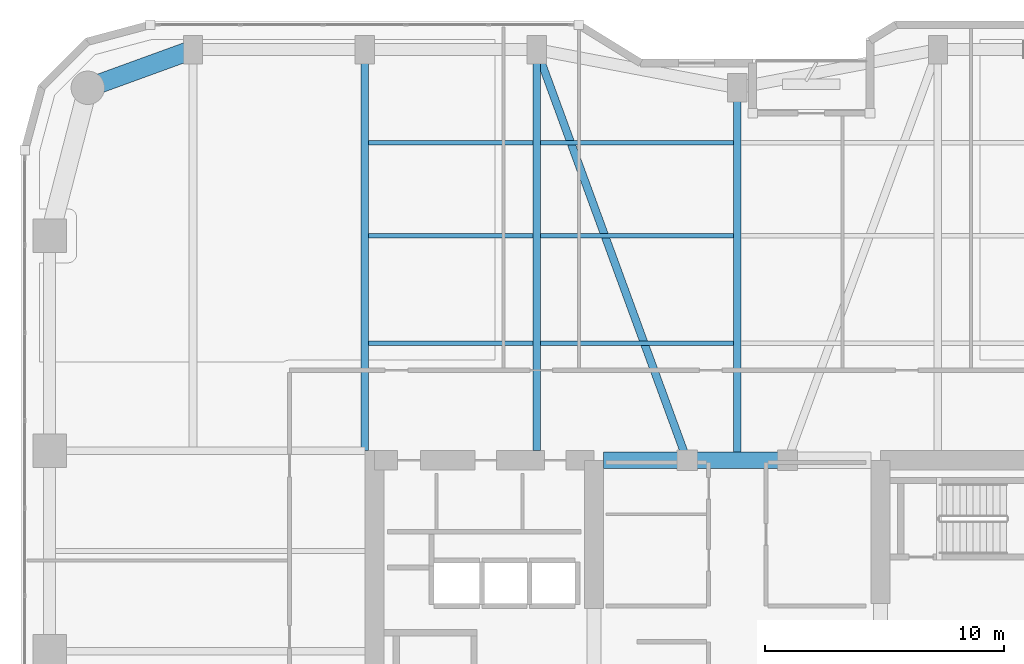
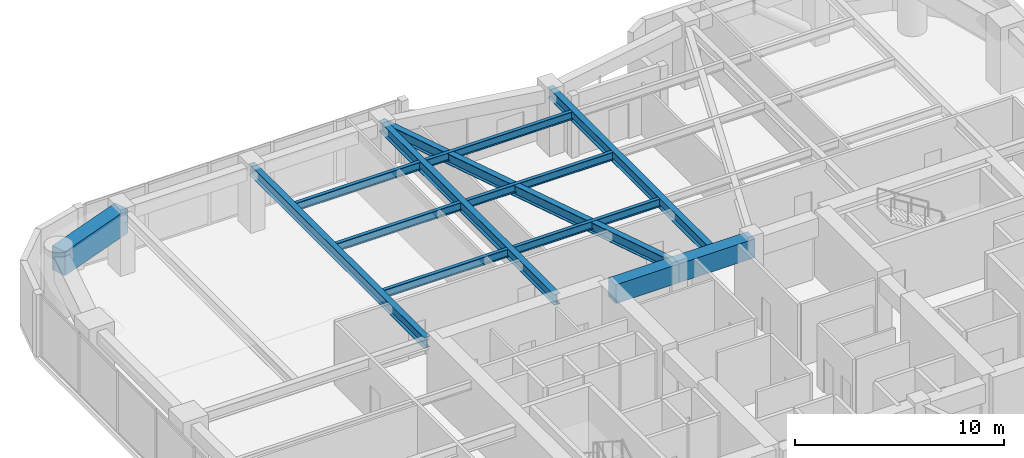
# One storey, part 12 of 24: 13 beams.
"""IFC4 building model written with IfcOpenShell, lengths in metres."""

import ifcopenshell
import ifcopenshell.guid

model = None  # the IFC model being written
_history = None  # IfcOwnerHistory: only IFC2X3 demands one
_inside = {}  # id of a spatial element -> (the spatial element, [elements in it])
_under = {}  # id of a project, library or spatial element -> (it, [spatial elements below it])
_declared = {}  # id of a project -> (the project, [libraries it declares])
_typed = {}  # id of a type object -> (the type object, [elements of that type])
_made_of = {}  # id of a material, layer set ... -> (it, [elements and type objects made of it])


def new_model(schema):
    """Start an empty IFC model of exactly this schema.

    Asked for "IFC4X3", IfcOpenShell would pick the latest addendum, in which some entities
    have other attributes; the version numbers below select the first issue.
    IFC2X3 requires an IfcOwnerHistory on every rooted entity: one is made here for all.
    """
    global model, _history
    if schema == "IFC4X3":
        model = ifcopenshell.file(schema_version=(4, 3, 0, 0))
    else:
        model = ifcopenshell.file(schema=schema)
    _inside.clear()
    _under.clear()
    _declared.clear()
    _typed.clear()
    _made_of.clear()
    _history = None
    if model.schema == "IFC2X3":
        org = make("IfcOrganization", Name="unknown")
        user = make(
            "IfcPersonAndOrganization",
            ThePerson=make("IfcPerson", FamilyName="unknown"),
            TheOrganization=org,
        )
        app = make(
            "IfcApplication",
            ApplicationDeveloper=org,
            Version="unknown",
            ApplicationFullName="unknown",
            ApplicationIdentifier="unknown",
        )
        _history = make(
            "IfcOwnerHistory",
            OwningUser=user,
            OwningApplication=app,
            ChangeAction="ADDED",
            CreationDate=0,
        )
    return model


def make(cls, **values):
    """One entity of the class cls with the attributes given. An attribute that is None is left unset."""
    return model.create_entity(
        cls, **{name: value for name, value in values.items() if value is not None}
    )


def rooted(cls, **values):
    """An entity with a GlobalId (a new one), such as an element, a storey or a relation."""
    return make(cls, GlobalId=ifcopenshell.guid.new(), OwnerHistory=_history, **values)


def si_unit(unit_type, name, prefix=None):
    """IfcSIUnit, for example si_unit("LENGTHUNIT", "METRE", prefix="MILLI")."""
    return make("IfcSIUnit", UnitType=unit_type, Prefix=prefix, Name=name)


def assignment(units):
    """IfcUnitAssignment: the units of a project."""
    return None if units is None else make("IfcUnitAssignment", Units=units)


def point(xyz):
    """IfcCartesianPoint."""
    return None if xyz is None else make("IfcCartesianPoint", Coordinates=xyz)


def direction(xyz):
    """IfcDirection."""
    return None if xyz is None else make("IfcDirection", DirectionRatios=xyz)


def frame(location, z_axis=None, x_axis=None):
    """IfcAxis2Placement3D, a coordinate frame: its origin and axes. An axis left out is left unset."""
    return make(
        "IfcAxis2Placement3D",
        Location=point(location),
        Axis=direction(z_axis),
        RefDirection=direction(x_axis),
    )


def frame_2d(location, x_axis=None):
    """IfcAxis2Placement2D, a coordinate frame in the plane: its origin and x axis."""
    return make(
        "IfcAxis2Placement2D", Location=point(location), RefDirection=direction(x_axis)
    )


def origin():
    """The frame at (0, 0, 0) with its axes left unset."""
    return frame((0.0, 0.0, 0.0))


def origin_2d():
    """The frame at (0, 0) in the plane with its x axis left unset."""
    return frame_2d((0.0, 0.0))


def place(relative_to, where):
    """IfcLocalPlacement: puts the frame where relative to a parent placement (None: the world)."""
    return make(
        "IfcLocalPlacement", PlacementRelTo=relative_to, RelativePlacement=where
    )


def context(
    kind, dimensions, precision=None, world=None, true_north=None, identifier=None
):
    """IfcGeometricRepresentationContext, for example the 3D "Model" context."""
    return make(
        "IfcGeometricRepresentationContext",
        ContextIdentifier=identifier,
        ContextType=kind,
        CoordinateSpaceDimension=dimensions,
        Precision=precision,
        WorldCoordinateSystem=world,
        TrueNorth=true_north,
    )


def subcontext(parent, identifier, kind, view, scale=None):
    """IfcGeometricRepresentationSubContext, for example "Body" below "Model"."""
    return make(
        "IfcGeometricRepresentationSubContext",
        ContextIdentifier=identifier,
        ContextType=kind,
        ParentContext=parent,
        TargetScale=scale,
        TargetView=view,
    )


def project(units=None, contexts=None):
    """IfcProject with its units and contexts."""
    return rooted(
        "IfcProject",
        Name="project",
        RepresentationContexts=contexts,
        UnitsInContext=assignment(units),
    )


def spatial(cls, under=None, at=None, **own):
    """A site, building, storey or space (cls), placed at a placement, below another one or the project."""
    s = rooted(cls, ObjectPlacement=at, **own)
    if under is not None:
        _under.setdefault(under.id(), (under, []))[1].append(s)
    return s


def profile(cls, at=None, kind="AREA", **sizes):
    """A parametric profile (cls). Its sizes go by their IFC names, for example OverallWidth=200.0."""
    return make(cls, ProfileType=kind, Position=at, **sizes)


def rectangle(**sizes):
    """IfcRectangleProfileDef."""
    return profile("IfcRectangleProfileDef", **sizes)


def i_section(**sizes):
    """IfcIShapeProfileDef."""
    return profile("IfcIShapeProfileDef", **sizes)


def extrude(swept, where, along, depth):
    """IfcExtrudedAreaSolid: the profile swept, set in the frame where, extruded along a direction by depth."""
    return make(
        "IfcExtrudedAreaSolid",
        SweptArea=swept,
        Position=where,
        ExtrudedDirection=direction(along),
        Depth=depth,
    )


def shape(context_of_items, identifier, shape_type, items):
    """IfcShapeRepresentation: the items that make up one representation, for example the "Body"."""
    return make(
        "IfcShapeRepresentation",
        ContextOfItems=context_of_items,
        RepresentationIdentifier=identifier,
        RepresentationType=shape_type,
        Items=items,
    )


def material(Name=None, Category=None):
    """IfcMaterial."""
    return make("IfcMaterial", Name=Name, Category=Category)


def material_profile(
    of_material, cross_section, Name=None, Category=None, Priority=None
):
    """IfcMaterialProfile: a cross section and its material."""
    return make(
        "IfcMaterialProfile",
        Name=Name,
        Material=of_material,
        Profile=cross_section,
        Priority=Priority,
        Category=Category,
    )


def profile_set(profiles, Name=None, composite=None):
    """IfcMaterialProfileSet."""
    return make(
        "IfcMaterialProfileSet",
        Name=Name,
        MaterialProfiles=profiles,
        CompositeProfile=composite,
    )


def made_of(thing, what):
    """Note that an element or type object is made of a material, layer set ...; save() writes the relation."""
    if what is not None:
        _made_of.setdefault(what.id(), (what, []))[1].append(thing)
    return thing


def type_object(cls, material=None, **own):
    """A type object (cls), such as IfcWallType, which elements share."""
    return made_of(rooted(cls, **own), material)


def element(
    cls,
    number,
    at=None,
    inside=None,
    cuts=None,
    type_object=None,
    material=None,
    context=None,
    identifier="Body",
    shape_type=None,
    held_by="IfcProductDefinitionShape",
    body=None,
    shapes=None,
    **own,
):
    """One element of the class cls, such as IfcWall. Its Tag is "e" and its number.

    at: its placement. inside: the storey or other place that contains it. cuts: it is an
    opening in that element (IfcRelVoidsElement). A single representation is given by context,
    identifier, shape_type and body (its items); several are given by shapes. held_by: the class
    of the entity that holds the representations. save() writes the other relations.
    """
    e = rooted(cls, Tag="e%d" % number, ObjectPlacement=at, **own)
    if body is not None:
        shapes = [shape(context, identifier, shape_type, body)]
    if shapes is not None:
        e.Representation = make(held_by, Representations=shapes)
    if inside is not None:
        _inside.setdefault(inside.id(), (inside, []))[1].append(e)
    if cuts is not None:
        rooted(
            "IfcRelVoidsElement", RelatingBuildingElement=cuts, RelatedOpeningElement=e
        )
    if type_object is not None:
        _typed.setdefault(type_object.id(), (type_object, []))[1].append(e)
    return made_of(e, material)


def aggregate(whole, parts):
    """IfcRelAggregates: a whole, such as a stair, and the parts it consists of."""
    return rooted("IfcRelAggregates", RelatingObject=whole, RelatedObjects=parts)


def save(model, path):
    """Write the relations noted so far, then the file.

    IfcRelAggregates (storeys below a building ...), IfcRelContainedInSpatialStructure (elements
    in a storey), IfcRelDefinesByType, IfcRelAssociatesMaterial and IfcRelDeclares: one each for
    every whole, place, type object, material and project.
    """
    for whole, parts in _under.values():
        aggregate(whole, parts)
    for where, things in _inside.values():
        rooted(
            "IfcRelContainedInSpatialStructure",
            RelatedElements=things,
            RelatingStructure=where,
        )
    for kind, things in _typed.values():
        rooted("IfcRelDefinesByType", RelatedObjects=things, RelatingType=kind)
    for what, things in _made_of.values():
        rooted("IfcRelAssociatesMaterial", RelatedObjects=things, RelatingMaterial=what)
    for by, libraries in _declared.values():
        rooted("IfcRelDeclares", RelatingContext=by, RelatedDefinitions=libraries)
    model.write(path)


model = new_model("IFC4")

# Units and contexts
model_context = context("Model", 3, precision=1e-05, world=origin(), true_north=direction((0.0, 1.0)))
body_context = subcontext(model_context, "Body", "Model", "MODEL_VIEW")
ifc_project = project(units=[si_unit("LENGTHUNIT", "METRE"), si_unit("AREAUNIT", "SQUARE_METRE"), si_unit("VOLUMEUNIT", "CUBIC_METRE"), si_unit("PLANEANGLEUNIT", "RADIAN"), si_unit("MASSUNIT", "GRAM", prefix="KILO")], contexts=[model_context])

# Site, building, storey
site_placement = place(None, origin())
site = spatial("IfcSite", under=ifc_project, at=site_placement, CompositionType="ELEMENT")
building_placement = place(site_placement, origin())
building = spatial("IfcBuilding", under=site, at=building_placement, Name="Kiyonajd Concourse Tower", CompositionType="ELEMENT")
storey_placement = place(building_placement, frame((0.0, 0.0, 93.60009765625)))
storey = spatial("IfcBuildingStorey", under=building, at=storey_placement, Name="L24", CompositionType="ELEMENT", Elevation=93.60009765625)

# Beams
ifc_material_1 = material(Name="Concrete C70/85", Category="concrete")
ifc_material_profile_1 = material_profile(ifc_material_1, rectangle(XDim=0.699951171875, YDim=1.10009765625, at=origin_2d()), Name="RCBM-700x1100")
ifc_profile_set_1 = profile_set([ifc_material_profile_1], Name="Concrete C70/85")
beam_type_1 = type_object("IfcBeamType", Name="BM-COUP-1100", PredefinedType="LINTEL", material=ifc_profile_set_1)
beam_1_placement = place(storey_placement, frame((42.39990234375, 44.0, 3.08984375), z_axis=(1.0, 0.0, 0.0), x_axis=(0.0, 1.0, 0.0)))
element("IfcBeam", 1, at=beam_1_placement, inside=storey, type_object=beam_type_1, Name="L24 Core Coupling Beam N1", PredefinedType="LINTEL", context=body_context, shape_type="SweptSolid", body=[
    extrude(rectangle(XDim=0.699951171875, YDim=1.10009765625, at=origin_2d()), origin(), (0.0, 0.0, 1.0), 3.5),
])
beam_2_placement = place(storey_placement, frame((45.89990234375, 44.0, 3.08984375), z_axis=(1.0, 0.0, 0.0), x_axis=(0.0, 1.0, 0.0)))
element("IfcBeam", 2, at=beam_2_placement, inside=storey, type_object=beam_type_1, Name="L24 Core Coupling Beam N2", PredefinedType="LINTEL", context=body_context, shape_type="SweptSolid", body=[
    extrude(rectangle(XDim=0.699951171875, YDim=1.10009765625, at=origin_2d()), origin(), (0.0, 0.0, 1.0), 4.2001953125),
])
ifc_material_2 = material(Name="Steel ASTM A992 Grade 50", Category="steel")
ifc_material_profile_2 = material_profile(ifc_material_2, i_section(OverallWidth=0.19189453125, OverallDepth=0.462890625, WebThickness=0.010498046875, FlangeThickness=0.017578125, at=origin_2d()), Name="W460X89")
ifc_profile_set_2 = profile_set([ifc_material_profile_2], Name="Steel ASTM A992 Grade 50")
beam_type_2 = type_object("IfcBeamType", Name="BM-JST-460B", PredefinedType="JOIST", material=ifc_profile_set_2)
beam_3_placement = place(storey_placement, frame((32.5634765625, 48.89990234375, 3.408447265625), z_axis=(1.0, 0.0, 0.0), x_axis=(0.0, 1.0, 0.0)))
element("IfcBeam", 3, at=beam_3_placement, inside=storey, type_object=beam_type_2, Name="L24 Secondary Floor Joist", PredefinedType="JOIST", context=body_context, shape_type="SweptSolid", body=[
    extrude(i_section(OverallWidth=0.19189453125, OverallDepth=0.462890625, WebThickness=0.010498046875, FlangeThickness=0.017578125, at=origin_2d()), origin(), (0.0, 0.0, 1.0), 6.873046875),
])
beam_4_placement = place(storey_placement, frame((39.763427734375, 48.89990234375, 3.408447265625), z_axis=(1.0, 0.0, 0.0), x_axis=(0.0, 1.0, 0.0)))
element("IfcBeam", 4, at=beam_4_placement, inside=storey, type_object=beam_type_2, Name="L24 Secondary Floor Joist", PredefinedType="JOIST", context=body_context, shape_type="SweptSolid", body=[
    extrude(i_section(OverallWidth=0.19189453125, OverallDepth=0.462890625, WebThickness=0.010498046875, FlangeThickness=0.017578125, at=origin_2d()), origin(), (0.0, 0.0, 1.0), 8.072998046875),
])
beam_5_placement = place(storey_placement, frame((32.5634765625, 53.39990234375, 3.408447265625), z_axis=(1.0, 0.0, 0.0), x_axis=(0.0, 1.0, 0.0)))
element("IfcBeam", 5, at=beam_5_placement, inside=storey, type_object=beam_type_2, Name="L24 Secondary Floor Joist", PredefinedType="JOIST", context=body_context, shape_type="SweptSolid", body=[
    extrude(i_section(OverallWidth=0.19189453125, OverallDepth=0.462890625, WebThickness=0.010498046875, FlangeThickness=0.017578125, at=origin_2d()), origin(), (0.0, 0.0, 1.0), 6.873046875),
])
beam_6_placement = place(storey_placement, frame((39.763427734375, 53.39990234375, 3.408447265625), z_axis=(1.0, 0.0, 0.0), x_axis=(0.0, 1.0, 0.0)))
element("IfcBeam", 6, at=beam_6_placement, inside=storey, type_object=beam_type_2, Name="L24 Secondary Floor Joist", PredefinedType="JOIST", context=body_context, shape_type="SweptSolid", body=[
    extrude(i_section(OverallWidth=0.19189453125, OverallDepth=0.462890625, WebThickness=0.010498046875, FlangeThickness=0.017578125, at=origin_2d()), origin(), (0.0, 0.0, 1.0), 8.072998046875),
])
beam_7_placement = place(storey_placement, frame((32.5634765625, 57.300048828125, 3.408447265625), z_axis=(1.0, 0.0, 0.0), x_axis=(0.0, 1.0, 0.0)))
element("IfcBeam", 7, at=beam_7_placement, inside=storey, type_object=beam_type_2, Name="L24 Secondary Floor Joist", PredefinedType="JOIST", context=body_context, shape_type="SweptSolid", body=[
    extrude(i_section(OverallWidth=0.19189453125, OverallDepth=0.462890625, WebThickness=0.010498046875, FlangeThickness=0.017578125, at=origin_2d()), origin(), (0.0, 0.0, 1.0), 6.873046875),
])
beam_8_placement = place(storey_placement, frame((39.763427734375, 57.300048828125, 3.408447265625), z_axis=(1.0, 0.0, 0.0), x_axis=(0.0, 1.0, 0.0)))
element("IfcBeam", 8, at=beam_8_placement, inside=storey, type_object=beam_type_2, Name="L24 Secondary Floor Joist", PredefinedType="JOIST", context=body_context, shape_type="SweptSolid", body=[
    extrude(i_section(OverallWidth=0.19189453125, OverallDepth=0.462890625, WebThickness=0.010498046875, FlangeThickness=0.017578125, at=origin_2d()), origin(), (0.0, 0.0, 1.0), 8.072998046875),
])
ifc_material_profile_3 = material_profile(ifc_material_2, i_section(OverallWidth=0.326904296875, OverallDepth=0.6220703125, WebThickness=0.015380859375, FlangeThickness=0.0244140625, at=origin_2d()), Name="W610X195")
ifc_profile_set_3 = profile_set([ifc_material_profile_3], Name="Steel ASTM A992 Grade 50")
beam_type_3 = type_object("IfcBeamType", Name="BM-TWR-610A", PredefinedType="BEAM", material=ifc_profile_set_3)
beam_9_placement = place(storey_placement, frame((39.60009765625, 61.199951171875, 3.328857421875), z_axis=(0.343925269715, -0.938997022813, 0.0), x_axis=(0.938997022813, 0.343925269715, 0.0)))
element("IfcBeam", 9, at=beam_9_placement, inside=storey, type_object=beam_type_3, Name="L24 Core Tie Girder", PredefinedType="BEAM", context=body_context, shape_type="SweptSolid", body=[
    extrude(i_section(OverallWidth=0.326904296875, OverallDepth=0.6220703125, WebThickness=0.015380859375, FlangeThickness=0.0244140625, at=origin_2d()), origin(), (0.0, 0.0, 1.0), 18.3173828125),
])
for number, where, z_axis, x_axis, name in (
    (10, (32.39990234375, 44.39990234375, 3.328857421875), (0.0, 1.0, 0.0), (-1.0, 0.0, 0.0), "L24 North Lease Girder"),
    (11, (39.60009765625, 44.39990234375, 3.328857421875), (0.0, 1.0, 0.0), (-1.0, 0.0, 0.0), "L24 North Lease Girder"),
):
    element("IfcBeam", number, at=place(storey_placement, frame(where, z_axis=z_axis, x_axis=x_axis)), inside=storey, type_object=beam_type_3, Name=name, PredefinedType="BEAM", context=body_context, shape_type="SweptSolid", body=[
        extrude(i_section(OverallWidth=0.326904296875, OverallDepth=0.6220703125, WebThickness=0.015380859375, FlangeThickness=0.0244140625, at=origin_2d()), origin(), (0.0, 0.0, 1.0), 16.800048828125),
    ])
beam_10_placement = place(storey_placement, frame((48.0, 44.0, 3.328857421875), z_axis=(0.0, 1.0, 0.0), x_axis=(-1.0, 0.0, 0.0)))
element("IfcBeam", 12, at=beam_10_placement, inside=storey, type_object=beam_type_3, Name="L24 North Ribbon Girder", PredefinedType="BEAM", context=body_context, shape_type="SweptSolid", body=[
    extrude(i_section(OverallWidth=0.326904296875, OverallDepth=0.6220703125, WebThickness=0.015380859375, FlangeThickness=0.0244140625, at=origin_2d()), origin(), (0.0, 0.0, 1.0), 15.60009765625),
])
ifc_material_3 = material(Name="Concrete C60/75", Category="concrete")
ifc_material_profile_4 = material_profile(ifc_material_3, rectangle(XDim=0.800048828125, YDim=1.39990234375, at=origin_2d()), Name="RCBM-800x1400")
ifc_profile_set_4 = profile_set([ifc_material_profile_4], Name="Concrete C60/75")
beam_type_4 = type_object("IfcBeamType", Name="BM-XFER-RC", PredefinedType="BEAM", material=ifc_profile_set_4)
beam_11_placement = place(storey_placement, frame((25.199951171875, 61.199951171875, 2.93994140625), z_axis=(-0.939801036019, -0.341722127901, 0.0), x_axis=(0.341722127901, -0.939801036019, 0.0)))
element("IfcBeam", 13, at=beam_11_placement, inside=storey, type_object=beam_type_4, Name="L24 Perimeter Bundled Tube Spandrel", PredefinedType="BEAM", context=body_context, shape_type="SweptSolid", body=[
    extrude(rectangle(XDim=0.800048828125, YDim=1.39990234375, at=origin_2d()), origin(), (0.0, 0.0, 1.0), 4.681640625),
])

save(model, "model.ifc")
